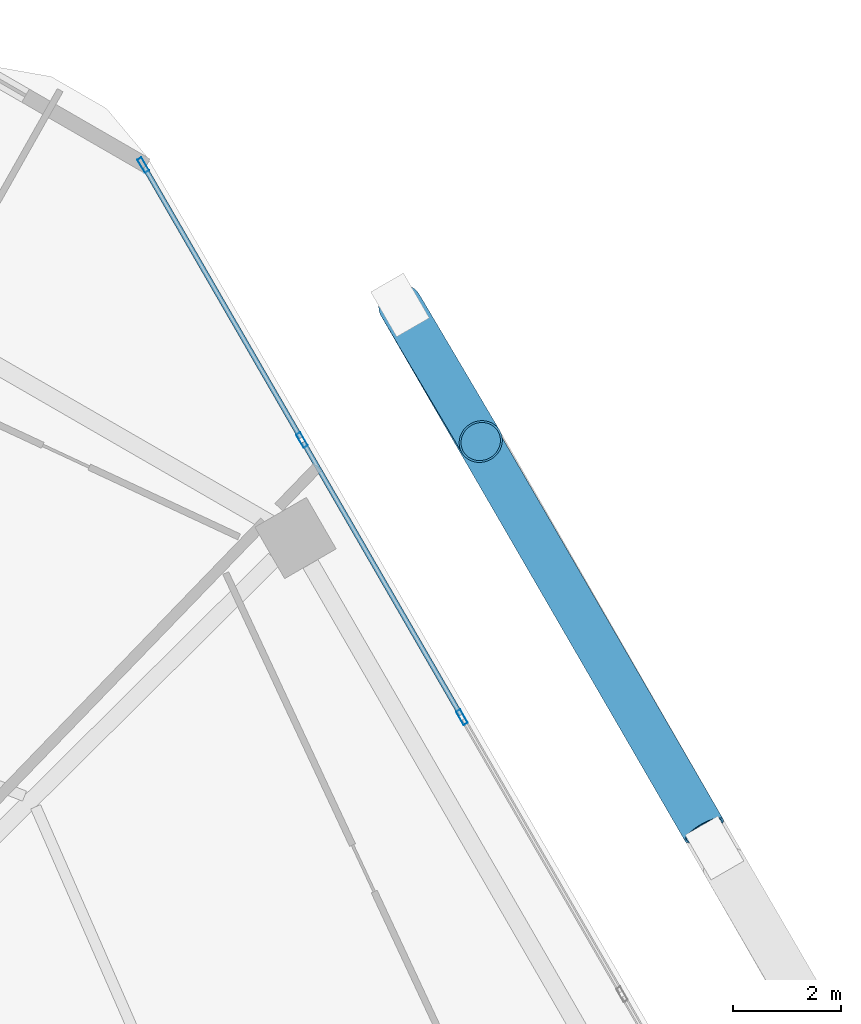
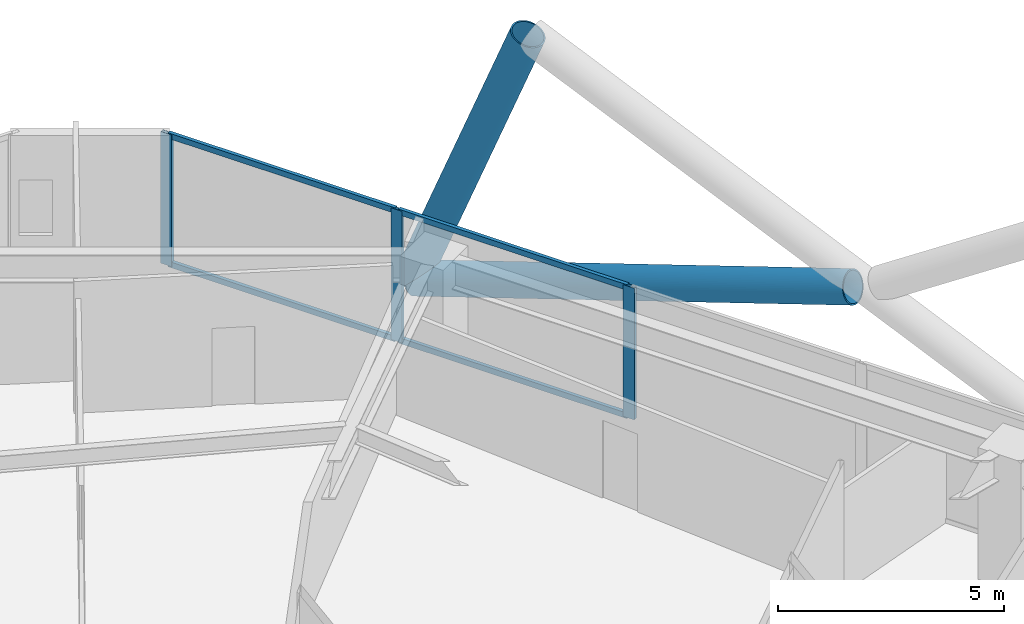
# One storey, part 24 of 35: 9 members, 1 element without a shape of its own.
"""IFC4 building model written with IfcOpenShell, lengths in metres."""

from ifc_helpers import new_model, si_unit, direction, frame, origin, origin_2d, place, context, subcontext, project, spatial, hollow_rectangle, hollow_circle, extrude, material, material_profile, profile_set, type_object, element, aggregate, save


model = new_model("IFC4")

# Units and contexts
model_context = context("Model", 3, precision=1e-05, world=origin(), true_north=direction((0.0, 1.0)))
body_context = subcontext(model_context, "Body", "Model", "MODEL_VIEW")
ifc_project = project(units=[si_unit("LENGTHUNIT", "METRE"), si_unit("AREAUNIT", "SQUARE_METRE"), si_unit("VOLUMEUNIT", "CUBIC_METRE"), si_unit("PLANEANGLEUNIT", "RADIAN"), si_unit("MASSUNIT", "GRAM", prefix="KILO")], contexts=[model_context])

# Site, building, storey
site_placement = place(None, origin())
site = spatial("IfcSite", under=ifc_project, at=site_placement, CompositionType="ELEMENT")
building_placement = place(site_placement, origin())
building = spatial("IfcBuilding", under=site, at=building_placement, Name="Zuhravey Tower", CompositionType="ELEMENT")
storey_placement = place(building_placement, frame((0.0, 0.0, 92.39990234375)))
storey = spatial("IfcBuildingStorey", under=building, at=storey_placement, Name="L22", CompositionType="ELEMENT", Elevation=92.39990234375)

# Curtain wall, members
ifc_material_1 = material(Name="Thermally broken anodised aluminium", Category="aluminium")
curtain_wall_type = type_object("IfcCurtainWallType", Name="Zone 1-2 Residential Curtain Wall CW3", PredefinedType="NOTDEFINED", material=ifc_material_1)
curtain_wall_placement = place(storey_placement, origin())
curtain_wall = element("IfcCurtainWall", 1, at=curtain_wall_placement, inside=storey, type_object=curtain_wall_type, Name="L22 CW3 CW-L22-F1-1", PredefinedType="NOTDEFINED")
ifc_material_2 = material(Name="Anodised aluminium", Category="aluminium")
ifc_material_profile_1 = material_profile(ifc_material_2, hollow_rectangle(XDim=0.090087890625, YDim=0.284912109375, WallThickness=0.0048828125, at=origin_2d()), Name="ALU-RHS-90x285x5")
ifc_profile_set_1 = profile_set([ifc_material_profile_1], Name="Anodised aluminium")
member_type_1 = type_object("IfcMemberType", Name="Curtain-Wall Mullion 90x180", PredefinedType="MULLION", material=ifc_profile_set_1)
member_1_placement = place(storey_placement, frame((53.701416015625, 59.257080078125, 0.0), z_axis=(0.0, 0.0, 1.0), x_axis=(0.86602552265, 0.499999794119, 0.0)))
member_1 = element("IfcMember", 2, at=member_1_placement, type_object=member_type_1, Name="CW3 mullion 1", PredefinedType="MULLION", context=body_context, shape_type="SweptSolid", body=[
    extrude(hollow_rectangle(XDim=0.090087890625, YDim=0.284912109375, WallThickness=0.0048828125, at=origin_2d()), origin(), (0.0, 0.0, 1.0), 3.550048828125),
])
member_2_placement = place(storey_placement, frame((56.638916015625, 54.169189453125, 0.0), z_axis=(0.0, 0.0, 1.0), x_axis=(0.86602552265, 0.499999794119, 0.0)))
member_2 = element("IfcMember", 3, at=member_2_placement, type_object=member_type_1, Name="CW3 mullion 2", PredefinedType="MULLION", context=body_context, shape_type="SweptSolid", body=[
    extrude(hollow_rectangle(XDim=0.090087890625, YDim=0.284912109375, WallThickness=0.0048828125, at=origin_2d()), origin(), (0.0, 0.0, 1.0), 3.550048828125),
])
member_3_placement = place(storey_placement, frame((59.598876953125, 49.04248046875, 0.0), z_axis=(0.0, 0.0, 1.0), x_axis=(0.86602552265, 0.499999794119, 0.0)))
member_3 = element("IfcMember", 4, at=member_3_placement, type_object=member_type_1, Name="CW3 mullion 3", PredefinedType="MULLION", context=body_context, shape_type="SweptSolid", body=[
    extrude(hollow_rectangle(XDim=0.090087890625, YDim=0.284912109375, WallThickness=0.0048828125, at=origin_2d()), origin(), (0.0, 0.0, 1.0), 3.550048828125),
])
ifc_material_profile_2 = material_profile(ifc_material_2, hollow_rectangle(XDim=0.090087890625, YDim=0.14990234375, WallThickness=0.0048828125, at=origin_2d()), Name="ALU-RHS-90x150x5")
ifc_profile_set_2 = profile_set([ifc_material_profile_2], Name="Anodised aluminium")
member_type_2 = type_object("IfcMemberType", Name="Curtain-Wall Transom 90x150", PredefinedType="USERDEFINED", material=ifc_profile_set_2)
member_4_placement = place(storey_placement, frame((53.72412109375, 59.218017578125, 0.045166015625), z_axis=(0.499992798144, -0.866029561738, 0.0), x_axis=(0.866029561738, 0.499992798144, 0.0)))
member_4 = element("IfcMember", 5, at=member_4_placement, type_object=member_type_2, Name="CW3 transom 1.1", ObjectType="TRANSOM", PredefinedType="USERDEFINED", context=body_context, shape_type="SweptSolid", body=[
    extrude(hollow_rectangle(XDim=0.090087890625, YDim=0.14990234375, WallThickness=0.0048828125, at=origin_2d()), origin(), (0.0, 0.0, 1.0), 5.78466796875),
])
member_5_placement = place(storey_placement, frame((53.72412109375, 59.218017578125, 3.505126953125), z_axis=(0.499992798144, -0.866029561738, 0.0), x_axis=(0.866029561738, 0.499992798144, 0.0)))
member_5 = element("IfcMember", 6, at=member_5_placement, type_object=member_type_2, Name="CW3 transom 1.2", ObjectType="TRANSOM", PredefinedType="USERDEFINED", context=body_context, shape_type="SweptSolid", body=[
    extrude(hollow_rectangle(XDim=0.090087890625, YDim=0.14990234375, WallThickness=0.0048828125, at=origin_2d()), origin(), (0.0, 0.0, 1.0), 5.78466796875),
])
member_6_placement = place(storey_placement, frame((56.661376953125, 54.13037109375, 0.045166015625), z_axis=(0.500012451049, -0.866018215049, 0.0), x_axis=(0.866018215049, 0.500012451049, 0.0)))
member_6 = element("IfcMember", 7, at=member_6_placement, type_object=member_type_2, Name="CW3 transom 2.1", ObjectType="TRANSOM", PredefinedType="USERDEFINED", context=body_context, shape_type="SweptSolid", body=[
    extrude(hollow_rectangle(XDim=0.090087890625, YDim=0.14990234375, WallThickness=0.0048828125, at=origin_2d()), origin(), (0.0, 0.0, 1.0), 5.829833984375),
])
member_7_placement = place(storey_placement, frame((56.661376953125, 54.13037109375, 3.505126953125), z_axis=(0.500012451049, -0.866018215049, 0.0), x_axis=(0.866018215049, 0.500012451049, 0.0)))
member_7 = element("IfcMember", 8, at=member_7_placement, type_object=member_type_2, Name="CW3 transom 2.2", ObjectType="TRANSOM", PredefinedType="USERDEFINED", context=body_context, shape_type="SweptSolid", body=[
    extrude(hollow_rectangle(XDim=0.090087890625, YDim=0.14990234375, WallThickness=0.0048828125, at=origin_2d()), origin(), (0.0, 0.0, 1.0), 5.829833984375),
])
aggregate(curtain_wall, [member_1, member_2, member_3, member_4, member_5, member_6, member_7])

# Members
ifc_material_3 = material(Name="Steel SM460", Category="steel")
ifc_material_profile_3 = material_profile(ifc_material_3, hollow_circle(Radius=0.406494140625, WallThickness=0.035888671875, at=origin_2d()), Name="CHS-812.8x36")
ifc_profile_set_3 = profile_set([ifc_material_profile_3], Name="Steel SM460")
member_type_3 = type_object("IfcMemberType", Name="Exoskeleton Zone 1 Diagrid CHS813x36", PredefinedType="BRACE", material=ifc_profile_set_3)
member_8_placement = place(storey_placement, frame((58.45703125, 56.66064453125, -0.44189453125), z_axis=(0.183708328785, -0.310891017943, 0.93252239914), x_axis=(0.860926528214, 0.508729312127, 0.0)))
element("IfcMember", 9, at=member_8_placement, inside=storey, type_object=member_type_3, Name="L22 Face 1 Diagrid Brace 4", PredefinedType="BRACE", context=body_context, shape_type="SweptSolid", body=[
    extrude(hollow_circle(Radius=0.406494140625, WallThickness=0.035888671875, at=origin_2d()), origin(), (0.0, 0.0, 1.0), 8.1025390625),
])
member_9_placement = place(storey_placement, frame((58.478759765625, 56.623046875, -0.44677734375), z_axis=(0.476237678133, -0.822447070137, 0.311092415128), x_axis=(0.86538790727, 0.501102554325, 0.0)))
element("IfcMember", 10, at=member_9_placement, inside=storey, type_object=member_type_3, Name="L22 Face 1 Split Diagrid Brace 3A", PredefinedType="BRACE", context=body_context, shape_type="SweptSolid", body=[
    extrude(hollow_circle(Radius=0.406494140625, WallThickness=0.035888671875, at=origin_2d()), origin(), (0.0, 0.0, 1.0), 11.76318359375),
])

save(model, "model.ifc")
